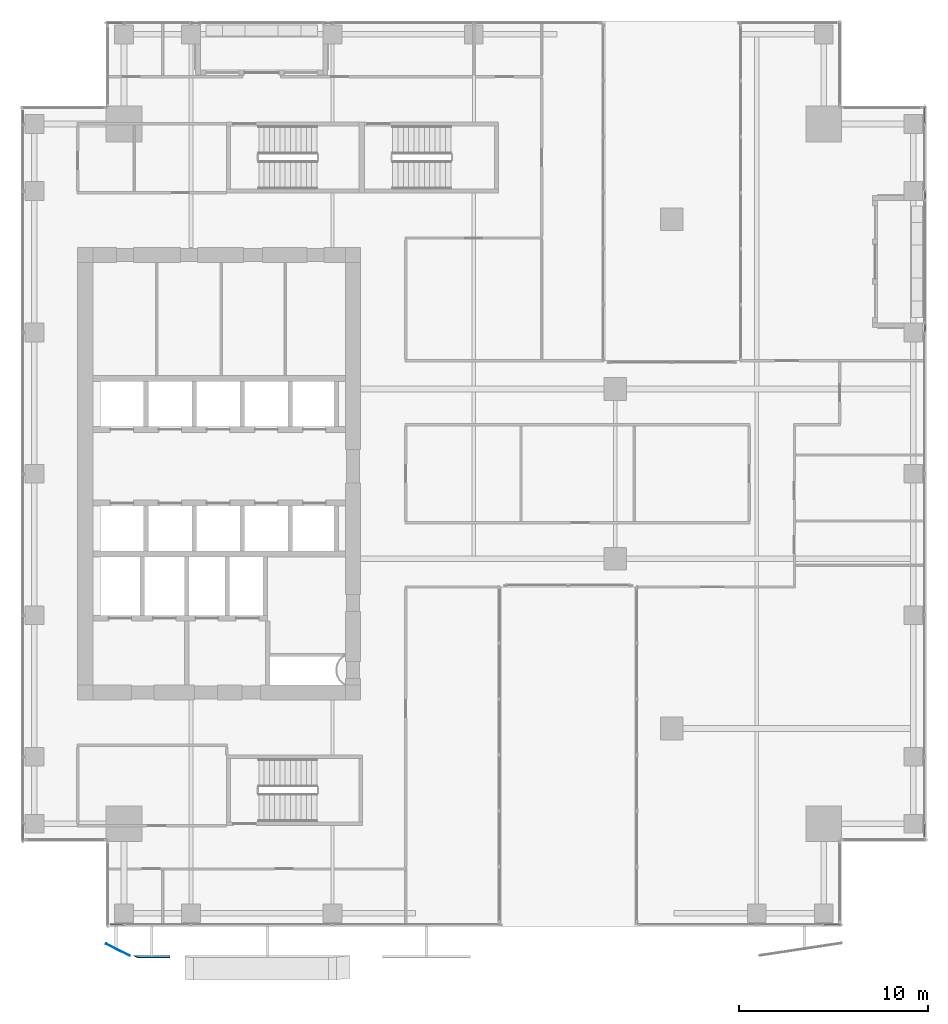
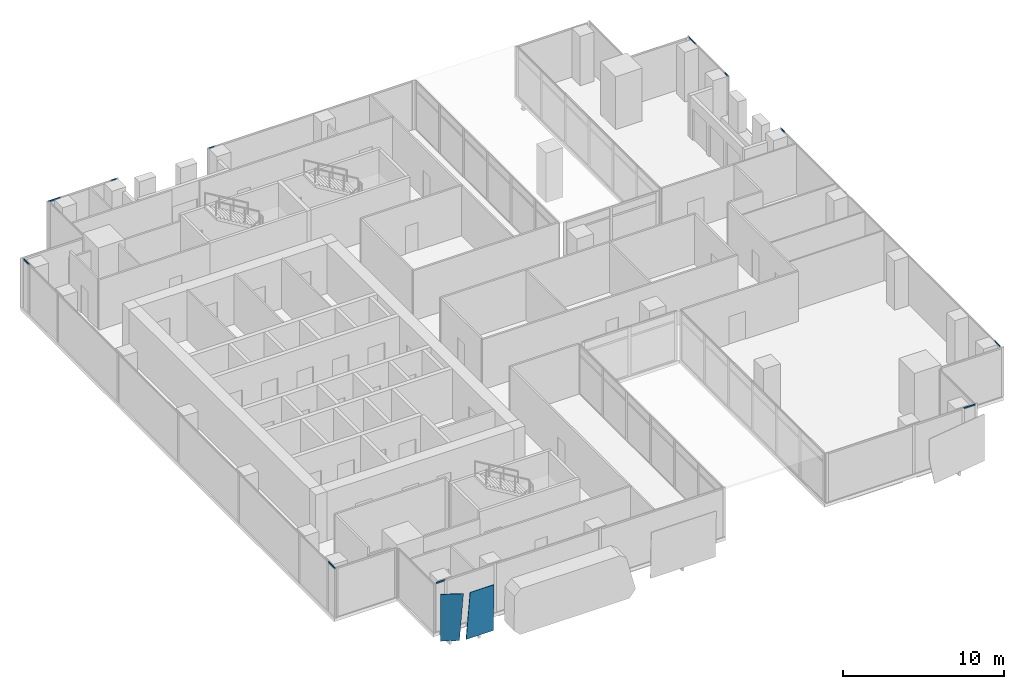
# One storey, part 28 of 40: 11 members, 2 plates, 7 elements without a shape of their own.
"""IFC4 building model written with IfcOpenShell, lengths in metres."""

from ifc_helpers import new_model, si_unit, direction, frame, origin, origin_2d, place, context, subcontext, project, spatial, polyline, hollow_rectangle, outline, extrude, source, transform, mapped, material, layer, layer_set, material_profile, profile_set, type_object, element, aggregate, save


model = new_model("IFC4")

# Units and contexts
model_context = context("Model", 3, precision=1e-05, world=origin(), true_north=direction((0.0, 1.0)))
body_context = subcontext(model_context, "Body", "Model", "MODEL_VIEW")
ifc_project = project(units=[si_unit("LENGTHUNIT", "METRE"), si_unit("AREAUNIT", "SQUARE_METRE"), si_unit("VOLUMEUNIT", "CUBIC_METRE"), si_unit("PLANEANGLEUNIT", "RADIAN"), si_unit("MASSUNIT", "GRAM", prefix="KILO")], contexts=[model_context])

# Site, building, storey
site_placement = place(None, origin())
site = spatial("IfcSite", under=ifc_project, at=site_placement, CompositionType="ELEMENT")
building_placement = place(site_placement, origin())
building = spatial("IfcBuilding", under=site, at=building_placement, Name="Khomas Fold Tower", CompositionType="ELEMENT")
storey_placement = place(building_placement, frame((0.0, 0.0, 184.699951171875)))
storey = spatial("IfcBuildingStorey", under=building, at=storey_placement, Name="L40", CompositionType="ELEMENT", Elevation=184.699951171875)

# Curtain wall, member
ifc_material_1 = material(Name="Aluminium framed double glazing", Category="aluminium")
curtain_wall_type = type_object("IfcCurtainWallType", Name="SK-Unitised clear-glass wall, office floors CW2", PredefinedType="NOTDEFINED", material=ifc_material_1)
curtain_wall_1_placement = place(storey_placement, origin())
curtain_wall_1 = element("IfcCurtainWall", 1, at=curtain_wall_1_placement, inside=storey, type_object=curtain_wall_type, Name="CW2 run L40 01-0", PredefinedType="NOTDEFINED")
ifc_material_2 = material(Name="Aluminium", Category="aluminium")
ifc_material_profile = material_profile(ifc_material_2, hollow_rectangle(XDim=0.050048828125, YDim=0.110107421875, WallThickness=0.00390625, at=origin_2d()), Name="SK-Unitised clear-glass wall, office floors transom CW2-T")
ifc_profile_set = profile_set([ifc_material_profile], Name="Aluminium")
member_type = type_object("IfcMemberType", Name="SK-Unitised clear-glass wall, office floors transom CW2-T", PredefinedType="USERDEFINED", material=ifc_profile_set)
shared_shape_1 = source(origin(), body_context, "Body", "SweptSolid", [
    extrude(hollow_rectangle(XDim=0.050048828125, YDim=0.110107421875, WallThickness=0.00390625, at=origin_2d()), origin(), (0.0, 0.0, 1.0), 0.659912109375),
])
member_1_placement = place(storey_placement, frame((7.760009765625, 3.10009765625, 3.695068359375), z_axis=(1.0, 0.0, 0.0), x_axis=(0.0, 1.0, 0.0)))
member_1 = element("IfcMember", 2, at=member_1_placement, type_object=member_type, Name="CW2 transom 1", ObjectType="TRANSOM", PredefinedType="USERDEFINED", context=body_context, shape_type="MappedRepresentation", body=[
    mapped(shared_shape_1, transform((0.0, 0.0, 0.0))),
])
aggregate(curtain_wall_1, [member_1])

curtain_wall_2_placement = place(storey_placement, origin())
curtain_wall_2 = element("IfcCurtainWall", 3, at=curtain_wall_2_placement, inside=storey, type_object=curtain_wall_type, Name="CW2 run L40 08-0", PredefinedType="NOTDEFINED")
member_2_placement = place(storey_placement, frame((50.89990234375, 7.760009765625, 3.695068359375), z_axis=(0.0, 1.0, 0.0), x_axis=(-1.0, 0.0, 0.0)))
member_2 = element("IfcMember", 4, at=member_2_placement, type_object=member_type, Name="CW2 transom 1", ObjectType="TRANSOM", PredefinedType="USERDEFINED", context=body_context, shape_type="MappedRepresentation", body=[
    mapped(shared_shape_1, transform((0.0, 0.0, 0.0))),
])

curtain_wall_3_placement = place(storey_placement, origin())
curtain_wall_3 = element("IfcCurtainWall", 5, at=curtain_wall_3_placement, inside=storey, type_object=curtain_wall_type, Name="CW2 run L40 18-0", PredefinedType="NOTDEFINED")
member_3_placement = place(storey_placement, frame((3.10009765625, 46.239990234375, 3.695068359375), z_axis=(0.0, -1.0, 0.0), x_axis=(1.0, 0.0, 0.0)))
member_3 = element("IfcMember", 6, at=member_3_placement, type_object=member_type, Name="CW2 transom 1", ObjectType="TRANSOM", PredefinedType="USERDEFINED", context=body_context, shape_type="MappedRepresentation", body=[
    mapped(shared_shape_1, transform((0.0, 0.0, 0.0))),
])

# Member
shared_shape_2 = source(origin(), body_context, "Body", "SweptSolid", [
    extrude(hollow_rectangle(XDim=0.050048828125, YDim=0.110107421875, WallThickness=0.00390625, at=origin_2d()), origin(), (0.0, 0.0, 1.0), 0.409912109375),
])
member_4_placement = place(storey_placement, frame((50.89990234375, 34.530029296875, 3.695068359375), z_axis=(0.0, 1.0, 0.0), x_axis=(-1.0, 0.0, 0.0)))
member_4 = element("IfcMember", 7, at=member_4_placement, type_object=member_type, Name="CW2 transom 6", ObjectType="TRANSOM", PredefinedType="USERDEFINED", context=body_context, shape_type="MappedRepresentation", body=[
    mapped(shared_shape_2, transform((0.0, 0.0, 0.0))),
])

aggregate(curtain_wall_2, [member_2, member_4])

# Curtain wall, member
curtain_wall_4_placement = place(storey_placement, origin())
curtain_wall_4 = element("IfcCurtainWall", 8, at=curtain_wall_4_placement, inside=storey, type_object=curtain_wall_type, Name="CW2 run L40 08-1", PredefinedType="NOTDEFINED")
member_5_placement = place(storey_placement, frame((50.89990234375, 41.56005859375, 3.695068359375), z_axis=(0.0, 1.0, 0.0), x_axis=(-1.0, 0.0, 0.0)))
member_5 = element("IfcMember", 9, at=member_5_placement, type_object=member_type, Name="CW2 transom 1", ObjectType="TRANSOM", PredefinedType="USERDEFINED", context=body_context, shape_type="MappedRepresentation", body=[
    mapped(shared_shape_2, transform((0.0, 0.0, 0.0))),
])

curtain_wall_5_placement = place(storey_placement, origin())
curtain_wall_5 = element("IfcCurtainWall", 10, at=curtain_wall_5_placement, inside=storey, type_object=curtain_wall_type, Name="CW2 run L40 15-0", PredefinedType="NOTDEFINED")
member_6_placement = place(storey_placement, frame((19.469970703125, 50.89990234375, 3.695068359375), z_axis=(-1.0, 0.0, 0.0), x_axis=(0.0, -1.0, 0.0)))
member_6 = element("IfcMember", 11, at=member_6_placement, type_object=member_type, Name="CW2 transom 3", ObjectType="TRANSOM", PredefinedType="USERDEFINED", context=body_context, shape_type="MappedRepresentation", body=[
    mapped(shared_shape_2, transform((0.0, 0.0, 0.0))),
])
aggregate(curtain_wall_5, [member_6])

curtain_wall_6_placement = place(storey_placement, origin())
curtain_wall_6 = element("IfcCurtainWall", 12, at=curtain_wall_6_placement, inside=storey, type_object=curtain_wall_type, Name="CW2 run L40 15-1", PredefinedType="NOTDEFINED")
member_7_placement = place(storey_placement, frame((12.43994140625, 50.89990234375, 3.695068359375), z_axis=(-1.0, 0.0, 0.0), x_axis=(0.0, -1.0, 0.0)))
member_7 = element("IfcMember", 13, at=member_7_placement, type_object=member_type, Name="CW2 transom 1", ObjectType="TRANSOM", PredefinedType="USERDEFINED", context=body_context, shape_type="MappedRepresentation", body=[
    mapped(shared_shape_2, transform((0.0, 0.0, 0.0))),
])

curtain_wall_7_placement = place(storey_placement, origin())
curtain_wall_7 = element("IfcCurtainWall", 14, at=curtain_wall_7_placement, inside=storey, type_object=curtain_wall_type, Name="CW2 run L40 05-0", PredefinedType="NOTDEFINED")
shared_shape_3 = source(origin(), body_context, "Body", "SweptSolid", [
    extrude(hollow_rectangle(XDim=0.050048828125, YDim=0.110107421875, WallThickness=0.00390625, at=origin_2d()), origin(), (0.0, 0.0, 1.0), 0.85986328125),
])
member_8_placement = place(storey_placement, frame((45.580078125, 3.10009765625, 3.695068359375), z_axis=(1.0, 0.0, 0.0), x_axis=(0.0, 1.0, 0.0)))
member_8 = element("IfcMember", 15, at=member_8_placement, type_object=member_type, Name="CW2 transom 3", ObjectType="TRANSOM", PredefinedType="USERDEFINED", context=body_context, shape_type="MappedRepresentation", body=[
    mapped(shared_shape_3, transform((0.0, 0.0, 0.0))),
])
aggregate(curtain_wall_7, [member_8])

# Member
member_9_placement = place(storey_placement, frame((50.89990234375, 45.580078125, 3.695068359375), z_axis=(0.0, 1.0, 0.0), x_axis=(-1.0, 0.0, 0.0)))
member_9 = element("IfcMember", 16, at=member_9_placement, type_object=member_type, Name="CW2 transom 3", ObjectType="TRANSOM", PredefinedType="USERDEFINED", context=body_context, shape_type="MappedRepresentation", body=[
    mapped(shared_shape_3, transform((0.0, 0.0, 0.0))),
])

aggregate(curtain_wall_4, [member_5, member_9])

member_10_placement = place(storey_placement, frame((8.419921875, 50.89990234375, 3.695068359375), z_axis=(-1.0, 0.0, 0.0), x_axis=(0.0, -1.0, 0.0)))
member_10 = element("IfcMember", 17, at=member_10_placement, type_object=member_type, Name="CW2 transom 3", ObjectType="TRANSOM", PredefinedType="USERDEFINED", context=body_context, shape_type="MappedRepresentation", body=[
    mapped(shared_shape_3, transform((0.0, 0.0, 0.0))),
])

aggregate(curtain_wall_6, [member_7, member_10])

member_11_placement = place(storey_placement, frame((3.10009765625, 8.419921875, 3.695068359375), z_axis=(0.0, -1.0, 0.0), x_axis=(1.0, 0.0, 0.0)))
member_11 = element("IfcMember", 18, at=member_11_placement, type_object=member_type, Name="CW2 transom 8", ObjectType="TRANSOM", PredefinedType="USERDEFINED", context=body_context, shape_type="MappedRepresentation", body=[
    mapped(shared_shape_3, transform((0.0, 0.0, 0.0))),
])

aggregate(curtain_wall_3, [member_3, member_11])

# Plates
ifc_material_3 = material(Name="Clear laminated glass", Category="glass")
ifc_layer = layer(ifc_material_3, 0.0400390625)
ifc_layer_set = layer_set([ifc_layer], Name="Clear laminated glass")
plate_type = type_object("IfcPlateType", Name="SK-Clear laminated glass leaf", PredefinedType="SHEET", material=ifc_layer_set)
plate_1_placement = place(storey_placement, frame((10.89990234375, 1.473876953125, 0.0), z_axis=(0.0, 0.999510801098, 0.031275525377), x_axis=(-1.0, 0.0, 0.0)))
element("IfcPlate", 19, at=plate_1_placement, inside=storey, type_object=plate_type, Name="OUTER SKIN glass L40 SG099-1", PredefinedType="SHEET", context=body_context, shape_type="SweptSolid", body=[
    extrude(outline(polyline([(0.0, 0.0), (1.947265625, 0.0), (1.72509765625, 3.551786358110002), (0.0, 3.551786358110002), (0.0, 0.0)])), origin(), (0.0, 0.0, -1.0), 0.0400390625),
])
plate_2_placement = place(storey_placement, frame((8.5517578125, 1.57421875, 0.0), z_axis=(0.447288705203, 0.894389631773, 2.7816187e-05), x_axis=(-0.894389632119, 0.447288705376, 2.336e-09)))
element("IfcPlate", 20, at=plate_2_placement, inside=storey, type_object=plate_type, Name="OUTER SKIN glass L40 SG099-2", PredefinedType="SHEET", context=body_context, shape_type="SweptSolid", body=[
    extrude(outline(polyline([(0.0, 0.0), (1.1759009781619163, 1.6940658945086007e-21), (1.1759009864545618, 3.5500488267515924), (-0.24850053244961695, 3.5500488328257025), (0.0, 0.0)])), origin(), (0.0, 0.0, -1.0), 0.0400390625),
])

save(model, "model.ifc")
